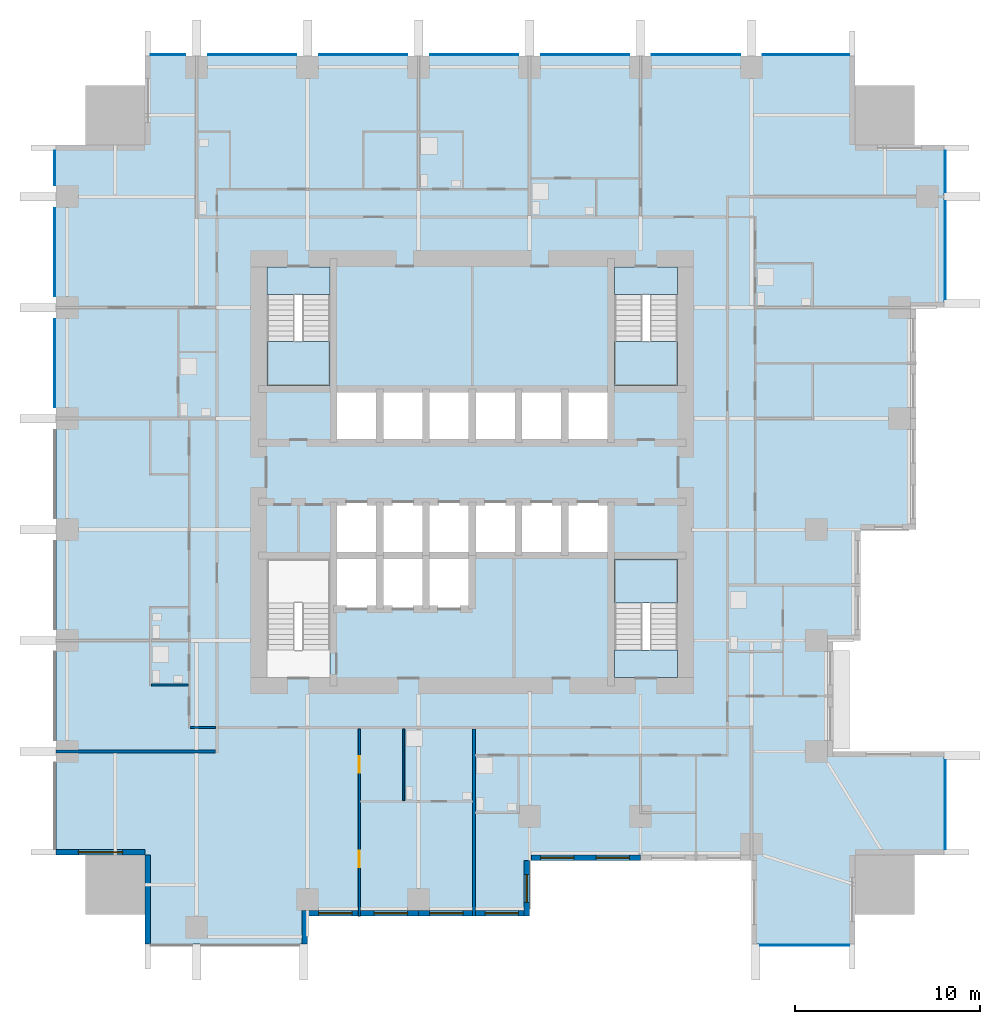
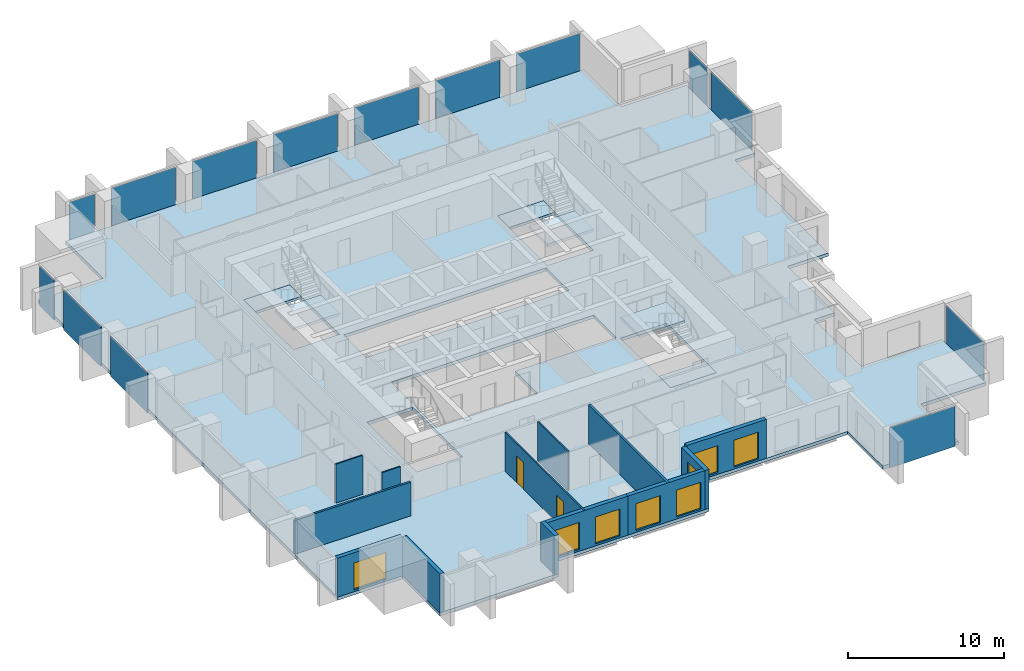
# One storey, part 3 of 10: 14 plates, 13 walls, 8 windows, 7 slabs, 2 doors, 10 openings, 8 elements without a shape of their own.
"""IFC4 building model written with IfcOpenShell, lengths in metres."""

from ifc_helpers import new_model, si_unit, direction, frame, frame_2d, origin, origin_2d, place, context, subcontext, project, spatial, polyline, rectangle, outline, extrude, material, layer, layer_set, type_object, element, fill, aggregate, save


model = new_model("IFC4")

# Units and contexts
model_context = context("Model", 3, precision=1e-05, world=origin(), true_north=direction((0.0, 1.0)))
body_context = subcontext(model_context, "Body", "Model", "MODEL_VIEW")
ifc_project = project(units=[si_unit("LENGTHUNIT", "METRE"), si_unit("AREAUNIT", "SQUARE_METRE"), si_unit("VOLUMEUNIT", "CUBIC_METRE"), si_unit("PLANEANGLEUNIT", "RADIAN"), si_unit("MASSUNIT", "GRAM", prefix="KILO")], contexts=[model_context])

# Site, building, storey
site_placement = place(None, origin())
site = spatial("IfcSite", under=ifc_project, at=site_placement, CompositionType="ELEMENT")
building_placement = place(site_placement, origin())
building = spatial("IfcBuilding", under=site, at=building_placement, Name="Amberfall Residences", CompositionType="ELEMENT")
storey_placement = place(building_placement, frame((0.0, 0.0, 36.699951171875)))
storey = spatial("IfcBuildingStorey", under=building, at=storey_placement, Name="L09", CompositionType="ELEMENT", Elevation=36.699951171875)

# Curtain wall, plate
ifc_material_1 = material(Name="Bronze anodised aluminium and glass", Category="aluminium")
curtain_wall_type = type_object("IfcCurtainWallType", Name="Curtain wall CW1 tower unit", PredefinedType="USERDEFINED", material=ifc_material_1)
curtain_wall_1_placement = place(storey_placement, origin())
curtain_wall_1 = element("IfcCurtainWall", 1, at=curtain_wall_1_placement, inside=storey, type_object=curtain_wall_type, Name="Curtain wall L09 S S9", ObjectType="UNITISED CURTAIN WALL", PredefinedType="USERDEFINED")
ifc_material_2 = material(Name="Tinted double glazed unit", Category="glass")
ifc_layer_1 = layer(ifc_material_2, 0.035888671875)
ifc_layer_set_1 = layer_set([ifc_layer_1], Name="CW1 panel 36 glazing")
plate_type = type_object("IfcPlateType", Name="CW1 panel 36 glazing", PredefinedType="CURTAIN_PANEL", material=ifc_layer_set_1)
plate_1_placement = place(storey_placement, frame((92.47509765625, 19.925048828125, -0.25), z_axis=(0.0, 0.0, 1.0), x_axis=(1.0, 0.0, 0.0)))
plate_1 = element("IfcPlate", 2, at=plate_1_placement, type_object=plate_type, Name="CW1 panel 1.1", PredefinedType="CURTAIN_PANEL", context=body_context, shape_type="SweptSolid", body=[
    extrude(rectangle(XDim=4.825927734375, YDim=0.035888671875, at=origin_2d()), origin(), (0.0, 0.0, 1.0), 3.14990234375),
])
aggregate(curtain_wall_1, [plate_1])

curtain_wall_2_placement = place(storey_placement, origin())
curtain_wall_2 = element("IfcCurtainWall", 3, at=curtain_wall_2_placement, inside=storey, type_object=curtain_wall_type, Name="Curtain wall L09 E E1", ObjectType="UNITISED CURTAIN WALL", PredefinedType="USERDEFINED")
plate_2_placement = place(storey_placement, frame((100.074951171875, 27.52490234375, -0.25), z_axis=(0.0, 0.0, 1.0), x_axis=(0.0, 1.0, 0.0)))
plate_2 = element("IfcPlate", 4, at=plate_2_placement, type_object=plate_type, Name="CW1 panel 1.1", PredefinedType="CURTAIN_PANEL", context=body_context, shape_type="SweptSolid", body=[
    extrude(rectangle(XDim=4.825927734375, YDim=0.035888671875, at=origin_2d()), origin(), (0.0, 0.0, 1.0), 3.14990234375),
])
aggregate(curtain_wall_2, [plate_2])

# Curtain wall, plates
curtain_wall_3_placement = place(storey_placement, origin())
curtain_wall_3 = element("IfcCurtainWall", 5, at=curtain_wall_3_placement, inside=storey, type_object=curtain_wall_type, Name="Curtain wall L09 E E10", ObjectType="UNITISED CURTAIN WALL", PredefinedType="USERDEFINED")
plate_3_placement = place(storey_placement, frame((100.074951171875, 57.512451171875, -0.25), z_axis=(0.0, 0.0, 1.0), x_axis=(0.0, 1.0, 0.0)))
plate_3 = element("IfcPlate", 6, at=plate_3_placement, type_object=plate_type, Name="CW1 panel 1.1", PredefinedType="CURTAIN_PANEL", context=body_context, shape_type="SweptSolid", body=[
    extrude(rectangle(XDim=5.301025390625, YDim=0.035888671875, at=origin_2d()), origin(), (0.0, 0.0, 1.0), 3.14990234375),
])
plate_4_placement = place(storey_placement, frame((100.074951171875, 61.762451171875, -0.25), z_axis=(0.0, 0.0, 1.0), x_axis=(0.0, 1.0, 0.0)))
plate_4 = element("IfcPlate", 7, at=plate_4_placement, type_object=plate_type, Name="CW1 panel 2.1", PredefinedType="CURTAIN_PANEL", context=body_context, shape_type="SweptSolid", body=[
    extrude(rectangle(XDim=2.2509765625, YDim=0.035888671875, at=origin_2d()), origin(), (0.0, 0.0, 1.0), 3.14990234375),
])
aggregate(curtain_wall_3, [plate_3, plate_4])

curtain_wall_4_placement = place(storey_placement, origin())
curtain_wall_4 = element("IfcCurtainWall", 8, at=curtain_wall_4_placement, inside=storey, type_object=curtain_wall_type, Name="Curtain wall L09 N N1", ObjectType="UNITISED CURTAIN WALL", PredefinedType="USERDEFINED")
plate_5_placement = place(storey_placement, frame((92.552490234375, 68.074951171875, -0.25), z_axis=(0.0, 0.0, 1.0), x_axis=(-1.0, 0.0, 0.0)))
plate_5 = element("IfcPlate", 9, at=plate_5_placement, type_object=plate_type, Name="CW1 panel 1.1", PredefinedType="CURTAIN_PANEL", context=body_context, shape_type="SweptSolid", body=[
    extrude(rectangle(XDim=4.6708984375, YDim=0.035888671875, at=origin_2d()), origin(), (0.0, 0.0, 1.0), 3.14990234375),
])
plate_6_placement = place(storey_placement, frame((86.60009765625, 68.074951171875, -0.25), z_axis=(0.0, 0.0, 1.0), x_axis=(-1.0, 0.0, 0.0)))
plate_6 = element("IfcPlate", 10, at=plate_6_placement, type_object=plate_type, Name="CW1 panel 2.1", PredefinedType="CURTAIN_PANEL", context=body_context, shape_type="SweptSolid", body=[
    extrude(rectangle(XDim=4.76611328125, YDim=0.035888671875, at=origin_2d()), origin(), (0.0, 0.0, 1.0), 3.14990234375),
])
plate_7_placement = place(storey_placement, frame((80.60009765625, 68.074951171875, -0.25), z_axis=(0.0, 0.0, 1.0), x_axis=(-1.0, 0.0, 0.0)))
plate_7 = element("IfcPlate", 11, at=plate_7_placement, type_object=plate_type, Name="CW1 panel 3.1", PredefinedType="CURTAIN_PANEL", context=body_context, shape_type="SweptSolid", body=[
    extrude(rectangle(XDim=4.76611328125, YDim=0.035888671875, at=origin_2d()), origin(), (0.0, 0.0, 1.0), 3.14990234375),
])
plate_8_placement = place(storey_placement, frame((74.60009765625, 68.074951171875, -0.25), z_axis=(0.0, 0.0, 1.0), x_axis=(-1.0, 0.0, 0.0)))
plate_8 = element("IfcPlate", 12, at=plate_8_placement, type_object=plate_type, Name="CW1 panel 4.1", PredefinedType="CURTAIN_PANEL", context=body_context, shape_type="SweptSolid", body=[
    extrude(rectangle(XDim=4.76611328125, YDim=0.035888671875, at=origin_2d()), origin(), (0.0, 0.0, 1.0), 3.14990234375),
])
plate_9_placement = place(storey_placement, frame((68.60009765625, 68.074951171875, -0.25), z_axis=(0.0, 0.0, 1.0), x_axis=(-1.0, 0.0, 0.0)))
plate_9 = element("IfcPlate", 13, at=plate_9_placement, type_object=plate_type, Name="CW1 panel 5.1", PredefinedType="CURTAIN_PANEL", context=body_context, shape_type="SweptSolid", body=[
    extrude(rectangle(XDim=4.76611328125, YDim=0.035888671875, at=origin_2d()), origin(), (0.0, 0.0, 1.0), 3.14990234375),
])
plate_10_placement = place(storey_placement, frame((62.60009765625, 68.074951171875, -0.25), z_axis=(0.0, 0.0, 1.0), x_axis=(-1.0, 0.0, 0.0)))
plate_10 = element("IfcPlate", 14, at=plate_10_placement, type_object=plate_type, Name="CW1 panel 6.1", PredefinedType="CURTAIN_PANEL", context=body_context, shape_type="SweptSolid", body=[
    extrude(rectangle(XDim=4.76611328125, YDim=0.035888671875, at=origin_2d()), origin(), (0.0, 0.0, 1.0), 3.14990234375),
])
plate_11_placement = place(storey_placement, frame((58.047607421875, 68.074951171875, -0.25), z_axis=(0.0, 0.0, 1.0), x_axis=(-1.0, 0.0, 0.0)))
plate_11 = element("IfcPlate", 15, at=plate_11_placement, type_object=plate_type, Name="CW1 panel 7.1", PredefinedType="CURTAIN_PANEL", context=body_context, shape_type="SweptSolid", body=[
    extrude(rectangle(XDim=1.87109375, YDim=0.035888671875, at=origin_2d()), origin(), (0.0, 0.0, 1.0), 3.14990234375),
])
aggregate(curtain_wall_4, [plate_5, plate_6, plate_7, plate_8, plate_9, plate_10, plate_11])

curtain_wall_5_placement = place(storey_placement, origin())
curtain_wall_5 = element("IfcCurtainWall", 16, at=curtain_wall_5_placement, inside=storey, type_object=curtain_wall_type, Name="Curtain wall L09 W W1", ObjectType="UNITISED CURTAIN WALL", PredefinedType="USERDEFINED")
plate_12_placement = place(storey_placement, frame((51.925048828125, 61.952392578125, -0.25), z_axis=(0.0, 0.0, 1.0), x_axis=(0.0, -1.0, 0.0)))
plate_12 = element("IfcPlate", 17, at=plate_12_placement, type_object=plate_type, Name="CW1 panel 1.1", PredefinedType="CURTAIN_PANEL", context=body_context, shape_type="SweptSolid", body=[
    extrude(rectangle(XDim=1.87109375, YDim=0.035888671875, at=origin_2d()), origin(), (0.0, 0.0, 1.0), 3.14990234375),
])
plate_13_placement = place(storey_placement, frame((51.925048828125, 57.39990234375, -0.25), z_axis=(0.0, 0.0, 1.0), x_axis=(0.0, -1.0, 0.0)))
plate_13 = element("IfcPlate", 18, at=plate_13_placement, type_object=plate_type, Name="CW1 panel 2.1", PredefinedType="CURTAIN_PANEL", context=body_context, shape_type="SweptSolid", body=[
    extrude(rectangle(XDim=4.76611328125, YDim=0.035888671875, at=origin_2d()), origin(), (0.0, 0.0, 1.0), 3.14990234375),
])
plate_14_placement = place(storey_placement, frame((51.925048828125, 51.39990234375, -0.25), z_axis=(0.0, 0.0, 1.0), x_axis=(0.0, -1.0, 0.0)))
plate_14 = element("IfcPlate", 19, at=plate_14_placement, type_object=plate_type, Name="CW1 panel 3.1", PredefinedType="CURTAIN_PANEL", context=body_context, shape_type="SweptSolid", body=[
    extrude(rectangle(XDim=4.76611328125, YDim=0.035888671875, at=origin_2d()), origin(), (0.0, 0.0, 1.0), 3.14990234375),
])
aggregate(curtain_wall_5, [plate_12, plate_13, plate_14])

# Slab
ifc_material_3 = material(Name="Concrete C80", Category="concrete")
ifc_layer_2 = layer(ifc_material_3, 0.25)
ifc_layer_set_2 = layer_set([ifc_layer_2], Name="Floor slab 250 C80")
slab_type_1 = type_object("IfcSlabType", Name="Floor slab 250 C80", PredefinedType="FLOOR", material=ifc_layer_set_2)
slab_1_placement = place(storey_placement, frame((0.0, 0.0, -0.25)))
element("IfcSlab", 20, at=slab_1_placement, inside=storey, type_object=slab_type_1, Name="Floor slab S3 L09", PredefinedType="FLOOR", context=body_context, shape_type="SweptSolid", body=[
    extrude(outline(polyline([(89.60009765625, 20.0), (89.60009765625, 24.5), (83.60009765625, 24.5), (77.60009765625, 24.5), (77.60009765625, 21.5), (71.60009765625, 21.5), (65.60009765625, 21.5), (65.60009765625, 20.0), (56.800048828125, 20.0), (56.800048828125, 24.800048828125), (52.0, 24.800048828125), (52.0, 63.199951171875), (56.800048828125, 63.199951171875), (56.800048828125, 68.0), (95.199951171875, 68.0), (95.199951171875, 63.199951171875), (100.0, 63.199951171875), (100.0, 54.39990234375), (98.5, 54.39990234375), (98.5, 48.39990234375), (98.5, 42.39990234375), (95.5, 42.39990234375), (95.5, 36.39990234375), (94.0, 36.39990234375), (94.0, 30.39990234375), (100.0, 30.39990234375), (100.0, 24.800048828125), (95.199951171875, 24.800048828125), (95.199951171875, 20.0), (89.60009765625, 20.0)]), holes=[polyline([(85.60009765625, 34.39990234375), (85.60009765625, 40.800048828125), (82.199951171875, 40.800048828125), (82.199951171875, 34.39990234375), (85.60009765625, 34.39990234375)]), polyline([(82.199951171875, 50.199951171875), (85.60009765625, 50.199951171875), (85.60009765625, 56.60009765625), (82.199951171875, 56.60009765625), (82.199951171875, 50.199951171875)]), polyline([(69.5, 50.0), (67.0, 50.0), (67.0, 47.10009765625), (69.5, 47.10009765625), (72.0, 47.10009765625), (74.5, 47.10009765625), (77.0, 47.10009765625), (79.5, 47.10009765625), (82.0, 47.10009765625), (82.0, 50.0), (79.5, 50.0), (77.0, 50.0), (74.5, 50.0), (72.0, 50.0), (69.5, 50.0)]), polyline([(74.5, 41.0), (77.0, 41.0), (79.5, 41.0), (82.0, 41.0), (82.0, 43.89990234375), (79.5, 43.89990234375), (77.0, 43.89990234375), (74.5, 43.89990234375), (72.0, 43.89990234375), (69.5, 43.89990234375), (67.0, 43.89990234375), (67.0, 41.0), (67.0, 38.10009765625), (69.5, 38.10009765625), (72.0, 38.10009765625), (74.5, 38.10009765625), (74.5, 41.0)]), polyline([(66.800048828125, 34.39990234375), (66.800048828125, 40.800048828125), (63.39990234375, 40.800048828125), (63.39990234375, 34.39990234375), (66.800048828125, 34.39990234375)]), polyline([(66.800048828125, 50.199951171875), (66.800048828125, 56.60009765625), (63.39990234375, 56.60009765625), (63.39990234375, 50.199951171875), (66.800048828125, 50.199951171875)])]), origin(), (0.0, 0.0, 1.0), 0.25),
])

# Stair, slabs
ifc_material_4 = material(Name="Concrete C40", Category="concrete")
stair_type = type_object("IfcStairType", Name="Exit stair 20 risers 165.0 mm", PredefinedType="HALF_TURN_STAIR", material=ifc_material_4)
stair_1_placement = place(storey_placement, origin())
stair_1 = element("IfcStair", 21, at=stair_1_placement, inside=storey, type_object=stair_type, Name="L09 Exit stair 2", PredefinedType="HALF_TURN_STAIR")
ifc_layer_3 = layer(ifc_material_4, 0.199951171875)
ifc_layer_set_3 = layer_set([ifc_layer_3], Name="Stair landing 200")
slab_type_2 = type_object("IfcSlabType", Name="Stair landing 200", PredefinedType="LANDING", material=ifc_layer_set_3)
slab_2_placement = place(storey_placement, frame((0.0, 0.0, 1.449951171875)))
slab_2 = element("IfcSlab", 22, at=slab_2_placement, type_object=slab_type_2, Name="ST3 landing 1", PredefinedType="LANDING", context=body_context, shape_type="SweptSolid", body=[
    extrude(outline(polyline([(85.60009765625, 38.419921875), (85.60009765625, 40.800048828125), (82.199951171875, 40.800048828125), (82.199951171875, 38.419921875), (85.60009765625, 38.419921875)])), origin(), (0.0, 0.0, 1.0), 0.2001953125),
])
slab_3_placement = place(storey_placement, frame((0.0, 0.0, -0.199951171875)))
slab_3 = element("IfcSlab", 23, at=slab_3_placement, type_object=slab_type_2, Name="ST3 landing 2", PredefinedType="LANDING", context=body_context, shape_type="SweptSolid", body=[
    extrude(outline(polyline([(85.60009765625, 34.39990234375), (85.60009765625, 35.89990234375), (82.199951171875, 35.89990234375), (82.199951171875, 34.39990234375), (85.60009765625, 34.39990234375)])), origin(), (0.0, 0.0, 1.0), 0.199951171875),
])
aggregate(stair_1, [slab_2, slab_3])

stair_2_placement = place(storey_placement, origin())
stair_2 = element("IfcStair", 24, at=stair_2_placement, inside=storey, type_object=stair_type, Name="L09 Exit stair 3", PredefinedType="HALF_TURN_STAIR")
slab_4_placement = place(storey_placement, frame((0.0, 0.0, 1.449951171875)))
slab_4 = element("IfcSlab", 25, at=slab_4_placement, type_object=slab_type_2, Name="ST3 landing 1", PredefinedType="LANDING", context=body_context, shape_type="SweptSolid", body=[
    extrude(outline(polyline([(82.199951171875, 52.580078125), (82.199951171875, 50.199951171875), (85.60009765625, 50.199951171875), (85.60009765625, 52.580078125), (82.199951171875, 52.580078125)])), origin(), (0.0, 0.0, 1.0), 0.2001953125),
])
slab_5_placement = place(storey_placement, frame((0.0, 0.0, -0.199951171875)))
slab_5 = element("IfcSlab", 26, at=slab_5_placement, type_object=slab_type_2, Name="ST3 landing 2", PredefinedType="LANDING", context=body_context, shape_type="SweptSolid", body=[
    extrude(outline(polyline([(82.199951171875, 56.60009765625), (82.199951171875, 55.10009765625), (85.60009765625, 55.10009765625), (85.60009765625, 56.60009765625), (82.199951171875, 56.60009765625)])), origin(), (0.0, 0.0, 1.0), 0.199951171875),
])
aggregate(stair_2, [slab_4, slab_5])

stair_3_placement = place(storey_placement, origin())
stair_3 = element("IfcStair", 27, at=stair_3_placement, inside=storey, type_object=stair_type, Name="L09 Exit stair 4", PredefinedType="HALF_TURN_STAIR")
slab_6_placement = place(storey_placement, frame((0.0, 0.0, 1.449951171875)))
slab_6 = element("IfcSlab", 28, at=slab_6_placement, type_object=slab_type_2, Name="ST3 landing 1", PredefinedType="LANDING", context=body_context, shape_type="SweptSolid", body=[
    extrude(outline(polyline([(63.39990234375, 52.580078125), (63.39990234375, 50.199951171875), (66.800048828125, 50.199951171875), (66.800048828125, 52.580078125), (63.39990234375, 52.580078125)])), origin(), (0.0, 0.0, 1.0), 0.2001953125),
])
slab_7_placement = place(storey_placement, frame((0.0, 0.0, -0.199951171875)))
slab_7 = element("IfcSlab", 29, at=slab_7_placement, type_object=slab_type_2, Name="ST3 landing 2", PredefinedType="LANDING", context=body_context, shape_type="SweptSolid", body=[
    extrude(outline(polyline([(63.39990234375, 56.60009765625), (63.39990234375, 55.10009765625), (66.800048828125, 55.10009765625), (66.800048828125, 56.60009765625), (63.39990234375, 56.60009765625)])), origin(), (0.0, 0.0, 1.0), 0.199951171875),
])
aggregate(stair_3, [slab_6, slab_7])

# Wall
ifc_material_5 = material(Name="Pale stone cladding on insulated backing", Category="masonry")
ifc_layer_4 = layer(ifc_material_5, 0.300048828125)
ifc_layer_set_4 = layer_set([ifc_layer_4], Name="Bronze clad wall 300")
wall_type_1 = type_object("IfcWallType", Name="Bronze clad wall 300", PredefinedType="SOLIDWALL", material=ifc_layer_set_4)
wall_1_placement = place(storey_placement, frame((65.449951171875, 20.0, 0.0), z_axis=(0.0, 0.0, 1.0), x_axis=(0.0, 1.0, 0.0)))
element("IfcWall", 30, at=wall_1_placement, inside=storey, type_object=wall_type_1, Name="External wall L09 S", PredefinedType="SOLIDWALL", context=body_context, shape_type="SweptSolid", body=[
    extrude(rectangle(XDim=1.800048828125, YDim=0.300048828125, at=frame_2d((0.89990234375, 0.0))), origin(), (0.0, 0.0, 1.0), 3.050048828125),
])

# Wall, opening, window
wall_2_placement = place(storey_placement, frame((77.449951171875, 21.5, 0.0), z_axis=(0.0, 0.0, 1.0), x_axis=(0.0, 1.0, 0.0)))
wall_2 = element("IfcWall", 31, at=wall_2_placement, inside=storey, type_object=wall_type_1, Name="External wall L09 S", PredefinedType="SOLIDWALL", context=body_context, shape_type="SweptSolid", body=[
    extrude(rectangle(XDim=3.0, YDim=0.300048828125, at=frame_2d((1.5, 0.0))), origin(), (0.0, 0.0, 1.0), 3.050048828125),
])
opening_1_placement = place(wall_2_placement, frame((0.75, 0.0, 0.89990234375)))
opening_1 = element("IfcOpeningElement", 32, at=opening_1_placement, cuts=wall_2, Name="Opening WN1", PredefinedType="OPENING", context=body_context, shape_type="SweptSolid", body=[
    extrude(rectangle(XDim=1.5, YDim=1.5, at=frame_2d((0.75, 0.75))), frame((0.0, 0.159912109375, 0.0), z_axis=(0.0, -1.0, 0.0), x_axis=(1.0, 0.0, 0.0)), (0.0, 0.0, 1.0), 0.320068359375),
])
ifc_material_6 = material(Name="Bronze aluminium framed glazing", Category="aluminium")
window_type_1 = type_object("IfcWindowType", Name="Window 1500 x 1500 bronze", PartitioningType="DOUBLE_PANEL_VERTICAL", PredefinedType="WINDOW", material=ifc_material_6)
window_1_placement = place(opening_1_placement, origin())
window_1 = element("IfcWindow", 33, at=window_1_placement, inside=storey, type_object=window_type_1, Name="Window L09 S", OverallHeight=1.5, OverallWidth=1.5, PartitioningType="DOUBLE_PANEL_VERTICAL", PredefinedType="WINDOW", context=body_context, shape_type="SweptSolid", body=[
    extrude(rectangle(XDim=1.5, YDim=1.5, at=frame_2d((0.75, 0.75))), frame((0.0, 0.030029296875, 0.0), z_axis=(0.0, -1.0, 0.0), x_axis=(1.0, 0.0, 0.0)), (0.0, 0.0, 1.0), 0.06005859375),
])
fill(opening_1, window_1)

wall_3_placement = place(storey_placement, frame((52.0, 24.949951171875, 0.0), z_axis=(0.0, 0.0, 1.0), x_axis=(1.0, 0.0, 0.0)))
wall_3 = element("IfcWall", 34, at=wall_3_placement, inside=storey, type_object=wall_type_1, Name="External wall L09 SW", PredefinedType="SOLIDWALL", context=body_context, shape_type="SweptSolid", body=[
    extrude(rectangle(XDim=4.800048828125, YDim=0.300048828125, at=frame_2d((2.39990234375, 0.0))), origin(), (0.0, 0.0, 1.0), 3.050048828125),
])
opening_2_placement = place(wall_3_placement, frame((1.199951171875, 0.0, 0.14990234375)))
opening_2 = element("IfcOpeningElement", 35, at=opening_2_placement, cuts=wall_3, Name="Opening WN5", PredefinedType="OPENING", context=body_context, shape_type="SweptSolid", body=[
    extrude(rectangle(XDim=2.39990234375, YDim=2.10009765625, at=frame_2d((1.199951171875, 1.050048828125))), frame((0.0, 0.159912109375, 0.0), z_axis=(0.0, -1.0, 0.0), x_axis=(1.0, 0.0, 0.0)), (0.0, 0.0, 1.0), 0.320068359375),
])
window_type_2 = type_object("IfcWindowType", Name="Glazed opening 2400 x 2100 bronze", PartitioningType="DOUBLE_PANEL_VERTICAL", PredefinedType="WINDOW", material=ifc_material_6)
window_2_placement = place(opening_2_placement, origin())
window_2 = element("IfcWindow", 36, at=window_2_placement, inside=storey, type_object=window_type_2, Name="Window L09 SW", OverallHeight=2.10009765625, OverallWidth=2.39990234375, PartitioningType="DOUBLE_PANEL_VERTICAL", PredefinedType="WINDOW", context=body_context, shape_type="SweptSolid", body=[
    extrude(rectangle(XDim=2.39990234375, YDim=2.10009765625, at=frame_2d((1.199951171875, 1.050048828125))), frame((0.0, 0.030029296875, 0.0), z_axis=(0.0, -1.0, 0.0), x_axis=(1.0, 0.0, 0.0)), (0.0, 0.0, 1.0), 0.06005859375),
])
fill(opening_2, window_2)

# Wall
wall_4_placement = place(storey_placement, frame((56.949951171875, 24.800048828125, 0.0), z_axis=(0.0, 0.0, 1.0), x_axis=(0.0, -1.0, 0.0)))
element("IfcWall", 37, at=wall_4_placement, inside=storey, type_object=wall_type_1, Name="External wall L09 SW", PredefinedType="SOLIDWALL", context=body_context, shape_type="SweptSolid", body=[
    extrude(rectangle(XDim=4.800048828125, YDim=0.300048828125, at=frame_2d((2.39990234375, 0.0))), origin(), (0.0, 0.0, 1.0), 3.050048828125),
])

# Wall, openings, windows
wall_5_placement = place(storey_placement, frame((65.60009765625, 21.64990234375, 0.0), z_axis=(0.0, 0.0, 1.0), x_axis=(1.0, 0.0, 0.0)))
wall_5 = element("IfcWall", 38, at=wall_5_placement, inside=storey, type_object=wall_type_1, Name="Stone wall L09 S", PredefinedType="SOLIDWALL", context=body_context, shape_type="SweptSolid", body=[
    extrude(rectangle(XDim=6.0, YDim=0.300048828125, at=frame_2d((3.0, 0.0))), origin(), (0.0, 0.0, 1.0), 3.050048828125),
])
opening_3_placement = place(wall_5_placement, frame((0.60009765625, 0.0, 0.14990234375)))
opening_3 = element("IfcOpeningElement", 39, at=opening_3_placement, cuts=wall_5, Name="Opening WN6", PredefinedType="OPENING", context=body_context, shape_type="SweptSolid", body=[
    extrude(rectangle(XDim=1.800048828125, YDim=2.10009765625, at=frame_2d((0.89990234375, 1.050048828125))), frame((0.0, 0.159912109375, 0.0), z_axis=(0.0, -1.0, 0.0), x_axis=(1.0, 0.0, 0.0)), (0.0, 0.0, 1.0), 0.320068359375),
])
opening_4_placement = place(wall_5_placement, frame((3.60009765625, 0.0, 0.14990234375)))
opening_4 = element("IfcOpeningElement", 40, at=opening_4_placement, cuts=wall_5, Name="Opening WN6", PredefinedType="OPENING", context=body_context, shape_type="SweptSolid", body=[
    extrude(rectangle(XDim=1.800048828125, YDim=2.10009765625, at=frame_2d((0.89990234375, 1.050048828125))), frame((0.0, 0.159912109375, 0.0), z_axis=(0.0, -1.0, 0.0), x_axis=(1.0, 0.0, 0.0)), (0.0, 0.0, 1.0), 0.320068359375),
])
window_type_3 = type_object("IfcWindowType", Name="Glazed opening 1800 x 2100 bronze", PartitioningType="DOUBLE_PANEL_VERTICAL", PredefinedType="WINDOW", material=ifc_material_6)
window_3_placement = place(opening_3_placement, origin())
window_3 = element("IfcWindow", 41, at=window_3_placement, inside=storey, type_object=window_type_3, Name="Window L09 S", OverallHeight=2.10009765625, OverallWidth=1.800048828125, PartitioningType="DOUBLE_PANEL_VERTICAL", PredefinedType="WINDOW", context=body_context, shape_type="SweptSolid", body=[
    extrude(rectangle(XDim=1.800048828125, YDim=2.10009765625, at=frame_2d((0.89990234375, 1.050048828125))), frame((0.0, 0.030029296875, 0.0), z_axis=(0.0, -1.0, 0.0), x_axis=(1.0, 0.0, 0.0)), (0.0, 0.0, 1.0), 0.06005859375),
])
fill(opening_3, window_3)
window_4_placement = place(opening_4_placement, origin())
window_4 = element("IfcWindow", 42, at=window_4_placement, inside=storey, type_object=window_type_3, Name="Window L09 S", OverallHeight=2.10009765625, OverallWidth=1.800048828125, PartitioningType="DOUBLE_PANEL_VERTICAL", PredefinedType="WINDOW", context=body_context, shape_type="SweptSolid", body=[
    extrude(rectangle(XDim=1.800048828125, YDim=2.10009765625, at=frame_2d((0.89990234375, 1.050048828125))), frame((0.0, 0.030029296875, 0.0), z_axis=(0.0, -1.0, 0.0), x_axis=(1.0, 0.0, 0.0)), (0.0, 0.0, 1.0), 0.06005859375),
])
fill(opening_4, window_4)

wall_6_placement = place(storey_placement, frame((71.60009765625, 21.64990234375, 0.0), z_axis=(0.0, 0.0, 1.0), x_axis=(1.0, 0.0, 0.0)))
wall_6 = element("IfcWall", 43, at=wall_6_placement, inside=storey, type_object=wall_type_1, Name="Stone wall L09 S", PredefinedType="SOLIDWALL", context=body_context, shape_type="SweptSolid", body=[
    extrude(rectangle(XDim=5.699951171875, YDim=0.300048828125, at=frame_2d((2.85009765625, 0.0))), origin(), (0.0, 0.0, 1.0), 3.050048828125),
])
opening_5_placement = place(wall_6_placement, frame((0.60009765625, 0.0, 0.14990234375)))
opening_5 = element("IfcOpeningElement", 44, at=opening_5_placement, cuts=wall_6, Name="Opening WN6", PredefinedType="OPENING", context=body_context, shape_type="SweptSolid", body=[
    extrude(rectangle(XDim=1.800048828125, YDim=2.10009765625, at=frame_2d((0.89990234375, 1.050048828125))), frame((0.0, 0.159912109375, 0.0), z_axis=(0.0, -1.0, 0.0), x_axis=(1.0, 0.0, 0.0)), (0.0, 0.0, 1.0), 0.320068359375),
])
opening_6_placement = place(wall_6_placement, frame((3.60009765625, 0.0, 0.14990234375)))
opening_6 = element("IfcOpeningElement", 45, at=opening_6_placement, cuts=wall_6, Name="Opening WN6", PredefinedType="OPENING", context=body_context, shape_type="SweptSolid", body=[
    extrude(rectangle(XDim=1.800048828125, YDim=2.10009765625, at=frame_2d((0.89990234375, 1.050048828125))), frame((0.0, 0.159912109375, 0.0), z_axis=(0.0, -1.0, 0.0), x_axis=(1.0, 0.0, 0.0)), (0.0, 0.0, 1.0), 0.320068359375),
])
window_5_placement = place(opening_5_placement, origin())
window_5 = element("IfcWindow", 46, at=window_5_placement, inside=storey, type_object=window_type_3, Name="Window L09 S", OverallHeight=2.10009765625, OverallWidth=1.800048828125, PartitioningType="DOUBLE_PANEL_VERTICAL", PredefinedType="WINDOW", context=body_context, shape_type="SweptSolid", body=[
    extrude(rectangle(XDim=1.800048828125, YDim=2.10009765625, at=frame_2d((0.89990234375, 1.050048828125))), frame((0.0, 0.030029296875, 0.0), z_axis=(0.0, -1.0, 0.0), x_axis=(1.0, 0.0, 0.0)), (0.0, 0.0, 1.0), 0.06005859375),
])
fill(opening_5, window_5)
window_6_placement = place(opening_6_placement, origin())
window_6 = element("IfcWindow", 47, at=window_6_placement, inside=storey, type_object=window_type_3, Name="Window L09 S", OverallHeight=2.10009765625, OverallWidth=1.800048828125, PartitioningType="DOUBLE_PANEL_VERTICAL", PredefinedType="WINDOW", context=body_context, shape_type="SweptSolid", body=[
    extrude(rectangle(XDim=1.800048828125, YDim=2.10009765625, at=frame_2d((0.89990234375, 1.050048828125))), frame((0.0, 0.030029296875, 0.0), z_axis=(0.0, -1.0, 0.0), x_axis=(1.0, 0.0, 0.0)), (0.0, 0.0, 1.0), 0.06005859375),
])
fill(opening_6, window_6)

wall_7_placement = place(storey_placement, frame((77.68994140625, 24.64990234375, 0.0), z_axis=(0.0, 0.0, 1.0), x_axis=(1.0, 0.0, 0.0)))
wall_7 = element("IfcWall", 48, at=wall_7_placement, inside=storey, type_object=wall_type_1, Name="Stone wall L09 S", PredefinedType="SOLIDWALL", context=body_context, shape_type="SweptSolid", body=[
    extrude(rectangle(XDim=5.91015625, YDim=0.300048828125, at=frame_2d((2.955078125, 0.0))), origin(), (0.0, 0.0, 1.0), 3.050048828125),
])
opening_7_placement = place(wall_7_placement, frame((0.510009765625, 0.0, 0.14990234375)))
opening_7 = element("IfcOpeningElement", 49, at=opening_7_placement, cuts=wall_7, Name="Opening WN6", PredefinedType="OPENING", context=body_context, shape_type="SweptSolid", body=[
    extrude(rectangle(XDim=1.800048828125, YDim=2.10009765625, at=frame_2d((0.89990234375, 1.050048828125))), frame((0.0, 0.159912109375, 0.0), z_axis=(0.0, -1.0, 0.0), x_axis=(1.0, 0.0, 0.0)), (0.0, 0.0, 1.0), 0.320068359375),
])
opening_8_placement = place(wall_7_placement, frame((3.510009765625, 0.0, 0.14990234375)))
opening_8 = element("IfcOpeningElement", 50, at=opening_8_placement, cuts=wall_7, Name="Opening WN6", PredefinedType="OPENING", context=body_context, shape_type="SweptSolid", body=[
    extrude(rectangle(XDim=1.800048828125, YDim=2.10009765625, at=frame_2d((0.89990234375, 1.050048828125))), frame((0.0, 0.159912109375, 0.0), z_axis=(0.0, -1.0, 0.0), x_axis=(1.0, 0.0, 0.0)), (0.0, 0.0, 1.0), 0.320068359375),
])
window_7_placement = place(opening_7_placement, origin())
window_7 = element("IfcWindow", 51, at=window_7_placement, inside=storey, type_object=window_type_3, Name="Window L09 S", OverallHeight=2.10009765625, OverallWidth=1.800048828125, PartitioningType="DOUBLE_PANEL_VERTICAL", PredefinedType="WINDOW", context=body_context, shape_type="SweptSolid", body=[
    extrude(rectangle(XDim=1.800048828125, YDim=2.10009765625, at=frame_2d((0.89990234375, 1.050048828125))), frame((0.0, 0.030029296875, 0.0), z_axis=(0.0, -1.0, 0.0), x_axis=(1.0, 0.0, 0.0)), (0.0, 0.0, 1.0), 0.06005859375),
])
fill(opening_7, window_7)
window_8_placement = place(opening_8_placement, origin())
window_8 = element("IfcWindow", 52, at=window_8_placement, inside=storey, type_object=window_type_3, Name="Window L09 S", OverallHeight=2.10009765625, OverallWidth=1.800048828125, PartitioningType="DOUBLE_PANEL_VERTICAL", PredefinedType="WINDOW", context=body_context, shape_type="SweptSolid", body=[
    extrude(rectangle(XDim=1.800048828125, YDim=2.10009765625, at=frame_2d((0.89990234375, 1.050048828125))), frame((0.0, 0.030029296875, 0.0), z_axis=(0.0, -1.0, 0.0), x_axis=(1.0, 0.0, 0.0)), (0.0, 0.0, 1.0), 0.06005859375),
])
fill(opening_8, window_8)

# Wall, openings, doors
ifc_material_7 = material(Name="Gypsum board on metal stud")
ifc_layer_5 = layer(ifc_material_7, 0.10009765625)
ifc_layer_set_5 = layer_set([ifc_layer_5], Name="Flat partition 100")
wall_type_2 = type_object("IfcWallType", Name="Flat partition 100", PredefinedType="PARTITIONING", material=ifc_layer_set_5)
wall_8_placement = place(storey_placement, frame((68.39990234375, 31.625, 0.0), z_axis=(0.0, 0.0, 1.0), x_axis=(0.0, -1.0, 0.0)))
wall_8 = element("IfcWall", 53, at=wall_8_placement, inside=storey, type_object=wall_type_2, Name="Partition 007", PredefinedType="PARTITIONING", context=body_context, shape_type="SweptSolid", body=[
    extrude(rectangle(XDim=10.125, YDim=0.10009765625, at=frame_2d((5.0625, 0.0))), origin(), (0.0, 0.0, 1.0), 3.050048828125),
])
opening_9_placement = place(wall_8_placement, frame((1.47509765625, 0.0, 0.0)))
opening_9 = element("IfcOpeningElement", 54, at=opening_9_placement, cuts=wall_8, Name="Opening D41", PredefinedType="OPENING", context=body_context, shape_type="SweptSolid", body=[
    extrude(rectangle(XDim=0.89990234375, YDim=2.10009765625, at=frame_2d((0.449951171875, 1.050048828125))), frame((0.0, 0.06005859375, 0.0), z_axis=(0.0, -1.0, 0.0), x_axis=(1.0, 0.0, 0.0)), (0.0, 0.0, 1.0), 0.1201171875),
])
opening_10_placement = place(wall_8_placement, frame((6.574951171875, 0.0, 0.0)))
opening_10 = element("IfcOpeningElement", 55, at=opening_10_placement, cuts=wall_8, Name="Opening D41", PredefinedType="OPENING", context=body_context, shape_type="SweptSolid", body=[
    extrude(rectangle(XDim=0.89990234375, YDim=2.10009765625, at=frame_2d((0.449951171875, 1.050048828125))), frame((0.0, 0.06005859375, 0.0), z_axis=(0.0, -1.0, 0.0), x_axis=(1.0, 0.0, 0.0)), (0.0, 0.0, 1.0), 0.1201171875),
])
ifc_material_8 = material(Name="Timber", Category="wood")
door_type = type_object("IfcDoorType", Name="Internal door 900 x 2100", OperationType="SINGLE_SWING_LEFT", PredefinedType="DOOR", material=ifc_material_8)
door_1_placement = place(opening_9_placement, origin())
door_1 = element("IfcDoor", 56, at=door_1_placement, inside=storey, type_object=door_type, Name="Door 0901 kitchen", OperationType="SINGLE_SWING_LEFT", OverallHeight=2.10009765625, OverallWidth=0.89990234375, PredefinedType="DOOR", context=body_context, shape_type="SweptSolid", body=[
    extrude(rectangle(XDim=0.89990234375, YDim=2.10009765625, at=frame_2d((0.449951171875, 1.050048828125))), frame((0.0, 0.02490234375, 0.0), z_axis=(0.0, -1.0, 0.0), x_axis=(1.0, 0.0, 0.0)), (0.0, 0.0, 1.0), 0.050048828125),
])
fill(opening_9, door_1)
door_2_placement = place(opening_10_placement, origin())
door_2 = element("IfcDoor", 57, at=door_2_placement, inside=storey, type_object=door_type, Name="Door 0901 bedroom1", OperationType="SINGLE_SWING_LEFT", OverallHeight=2.10009765625, OverallWidth=0.89990234375, PredefinedType="DOOR", context=body_context, shape_type="SweptSolid", body=[
    extrude(rectangle(XDim=0.89990234375, YDim=2.10009765625, at=frame_2d((0.449951171875, 1.050048828125))), frame((0.0, 0.02490234375, 0.0), z_axis=(0.0, -1.0, 0.0), x_axis=(1.0, 0.0, 0.0)), (0.0, 0.0, 1.0), 0.050048828125),
])
fill(opening_10, door_2)

# Walls
wall_9_placement = place(storey_placement, frame((70.800048828125, 27.75, 0.0), z_axis=(0.0, 0.0, 1.0), x_axis=(0.0, 1.0, 0.0)))
element("IfcWall", 58, at=wall_9_placement, inside=storey, type_object=wall_type_2, Name="Partition 009", PredefinedType="PARTITIONING", context=body_context, shape_type="SweptSolid", body=[
    extrude(rectangle(XDim=3.875, YDim=0.10009765625, at=frame_2d((1.9375, 0.0))), origin(), (0.0, 0.0, 1.0), 3.050048828125),
])
wall_10_placement = place(storey_placement, frame((57.14990234375, 34.0, 0.0), z_axis=(0.0, 0.0, 1.0), x_axis=(1.0, 0.0, 0.0)))
element("IfcWall", 59, at=wall_10_placement, inside=storey, type_object=wall_type_2, Name="Partition 037", PredefinedType="PARTITIONING", context=body_context, shape_type="SweptSolid", body=[
    extrude(rectangle(XDim=2.0, YDim=0.10009765625, at=frame_2d((1.0, 0.0))), origin(), (0.0, 0.0, 1.0), 3.050048828125),
])
wall_11_placement = place(storey_placement, frame((59.25, 31.699951171875, 0.0), z_axis=(0.0, 0.0, 1.0), x_axis=(1.0, 0.0, 0.0)))
element("IfcWall", 60, at=wall_11_placement, inside=storey, type_object=wall_type_2, Name="Partition 039", PredefinedType="PARTITIONING", context=body_context, shape_type="SweptSolid", body=[
    extrude(rectangle(XDim=1.375, YDim=0.10009765625, at=frame_2d((0.6875, 0.0))), origin(), (0.0, 0.0, 1.0), 3.050048828125),
])
ifc_material_9 = material(Name="Blockwork, plastered", Category="masonry")
ifc_layer_6 = layer(ifc_material_9, 0.14990234375)
ifc_layer_set_6 = layer_set([ifc_layer_6], Name="Flat separating wall 150")
wall_type_3 = type_object("IfcWallType", Name="Flat separating wall 150", PredefinedType="PARTITIONING", material=ifc_layer_set_6)
wall_12_placement = place(storey_placement, frame((74.60009765625, 21.5, 0.0), z_axis=(0.0, 0.0, 1.0), x_axis=(0.0, 1.0, 0.0)))
element("IfcWall", 61, at=wall_12_placement, inside=storey, type_object=wall_type_3, Name="Separating wall 046", PredefinedType="PARTITIONING", context=body_context, shape_type="SweptSolid", body=[
    extrude(rectangle(XDim=10.125, YDim=0.14990234375, at=frame_2d((5.0625, 0.0))), origin(), (0.0, 0.0, 1.0), 3.050048828125),
])
wall_13_placement = place(storey_placement, frame((52.0, 30.39990234375, 0.0), z_axis=(0.0, 0.0, 1.0), x_axis=(1.0, 0.0, 0.0)))
element("IfcWall", 62, at=wall_13_placement, inside=storey, type_object=wall_type_3, Name="Separating wall 055", PredefinedType="PARTITIONING", context=body_context, shape_type="SweptSolid", body=[
    extrude(rectangle(XDim=8.625, YDim=0.14990234375, at=frame_2d((4.3125, 0.0))), origin(), (0.0, 0.0, 1.0), 2.64697265625),
])

save(model, "model.ifc")
